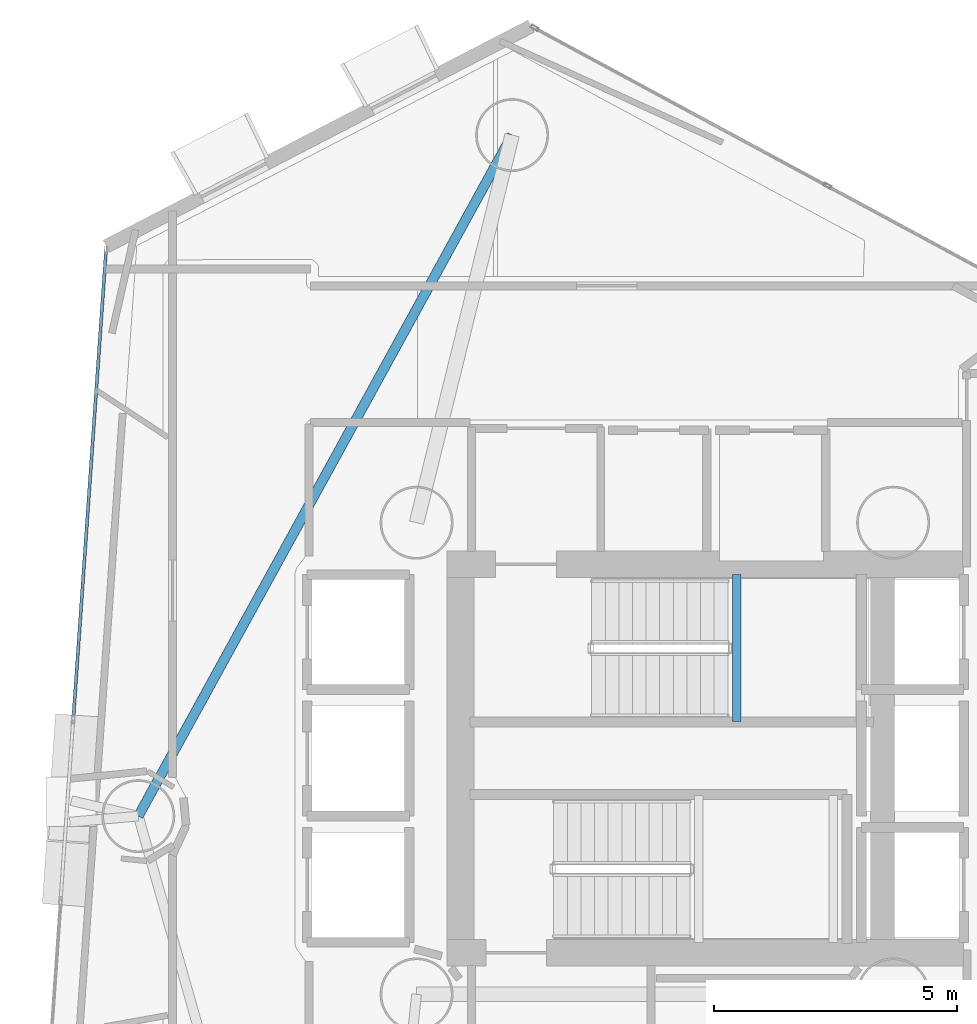
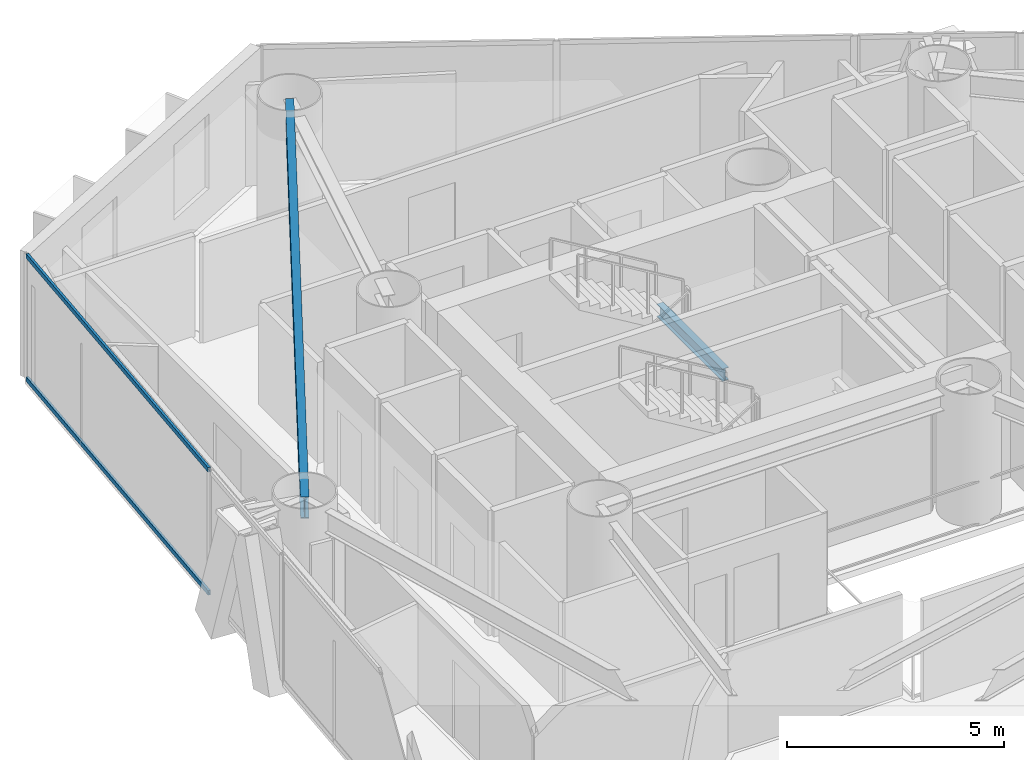
# One storey, part 8 of 21: 2 beams, 2 members, 1 element without a shape of its own.
"""IFC4 building model written with IfcOpenShell, lengths in metres."""

from ifc_helpers import new_model, si_unit, direction, frame, origin, origin_2d, place, context, subcontext, project, spatial, hollow_rectangle, i_section, extrude, material, layer, layer_set, material_profile, profile_set, type_object, element, aggregate, save


model = new_model("IFC4")

# Units and contexts
model_context = context("Model", 3, precision=1e-05, world=origin(), true_north=direction((0.0, 1.0)))
body_context = subcontext(model_context, "Body", "Model", "MODEL_VIEW")
ifc_project = project(units=[si_unit("LENGTHUNIT", "METRE"), si_unit("AREAUNIT", "SQUARE_METRE"), si_unit("VOLUMEUNIT", "CUBIC_METRE"), si_unit("PLANEANGLEUNIT", "RADIAN"), si_unit("MASSUNIT", "GRAM", prefix="KILO")], contexts=[model_context])

# Site, building, storey
site_placement = place(None, origin())
site = spatial("IfcSite", under=ifc_project, at=site_placement, CompositionType="ELEMENT")
building_placement = place(site_placement, origin())
building = spatial("IfcBuilding", under=site, at=building_placement, Name="Qianvela Tower", CompositionType="ELEMENT")
storey_placement = place(building_placement, frame((0.0, 0.0, 127.39990234375)))
storey = spatial("IfcBuildingStorey", under=building, at=storey_placement, Name="L32", CompositionType="ELEMENT", Elevation=127.39990234375)

# Beams
ifc_material_1 = material(Name="Steel Q355B", Category="steel")
ifc_material_profile_1 = material_profile(ifc_material_1, i_section(OverallWidth=0.175048828125, OverallDepth=0.35009765625, WebThickness=0.007080078125, FlangeThickness=0.010986328125, at=origin_2d()), Name="HN350x175x7x11")
ifc_profile_set_1 = profile_set([ifc_material_profile_1], Name="Steel Q355B")
beam_type_1 = type_object("IfcBeamType", Name="BM-HN350-JOIST", PredefinedType="JOIST", material=ifc_profile_set_1)
beam_1_placement = place(storey_placement, frame((35.179931640625, 29.4599609375, 1.47509765625), z_axis=(0.0, 1.0, 0.0), x_axis=(-1.0, 0.0, 0.0)))
element("IfcBeam", 1, at=beam_1_placement, inside=storey, type_object=beam_type_1, Name="L32 Stair ST-1 Landing Support Beam 1.1", PredefinedType="JOIST", context=body_context, shape_type="SweptSolid", body=[
    extrude(i_section(OverallWidth=0.175048828125, OverallDepth=0.35009765625, WebThickness=0.007080078125, FlangeThickness=0.010986328125, at=origin_2d()), origin(), (0.0, 0.0, 1.0), 3.02001953125),
])
ifc_material_2 = material(Name="Steel Q355B", Category="steel")
ifc_material_profile_2 = material_profile(ifc_material_2, i_section(OverallWidth=0.199951171875, OverallDepth=0.60009765625, WebThickness=0.010986328125, FlangeThickness=0.01708984375, at=origin_2d()), Name="HN600x200x11x17")
ifc_profile_set_2 = profile_set([ifc_material_profile_2], Name="Steel Q355B")
beam_type_2 = type_object("IfcBeamType", Name="BM-HN600-GIRD", PredefinedType="BEAM", material=ifc_profile_set_2)
beam_2_placement = place(storey_placement, frame((30.56396484375, 41.52099609375, 3.218017578125), z_axis=(-0.481118353038, -0.876655650965, 0.0), x_axis=(0.876655650965, -0.481118353038, 0.0)))
element("IfcBeam", 2, at=beam_2_placement, inside=storey, type_object=beam_type_2, Name="L32 Perimeter Ring Spandrel Girder 3", PredefinedType="BEAM", context=body_context, shape_type="SweptSolid", body=[
    extrude(i_section(OverallWidth=0.199951171875, OverallDepth=0.60009765625, WebThickness=0.010986328125, FlangeThickness=0.01708984375, at=origin_2d()), origin(), (0.0, 0.0, 1.0), 15.975341796875),
])

# Curtain wall, members
ifc_material_3 = material(Name="Anodised Architectural Aluminium and Low-E Glass", Category="aluminium")
ifc_layer = layer(ifc_material_3, 0.169921875)
ifc_layer_set = layer_set([ifc_layer], Name="Anodised Architectural Aluminium and Low-E Glass")
curtain_wall_type = type_object("IfcCurtainWallType", Name="CW-COLIV-Z34", PredefinedType="USERDEFINED", material=ifc_layer_set)
curtain_wall_placement = place(storey_placement, origin())
curtain_wall = element("IfcCurtainWall", 3, at=curtain_wall_placement, inside=storey, type_object=curtain_wall_type, Name="L32 CW-COLIV-Z34 Curtain Wall 04A", ObjectType="CURTAIN_WALL_SYSTEM", PredefinedType="USERDEFINED")
ifc_material_4 = material(Name="Anodised Architectural Aluminium 6063-T6", Category="aluminium")
ifc_material_profile_3 = material_profile(ifc_material_4, hollow_rectangle(XDim=0.06494140625, YDim=0.1298828125, WallThickness=0.00439453125, at=origin_2d()), Name="ALU-TRAN-65x130")
ifc_profile_set_3 = profile_set([ifc_material_profile_3], Name="Anodised Architectural Aluminium 6063-T6")
member_type = type_object("IfcMemberType", Name="CW-COLIV-Z34-TRAN", PredefinedType="USERDEFINED", material=ifc_profile_set_3)
member_1_placement = place(storey_placement, frame((22.2109375, 39.121826171875, 0.03271484375), z_axis=(-0.069740850034, -0.997565142653, 0.0), x_axis=(0.997565142653, -0.069740850034, 0.0)))
member_1 = element("IfcMember", 4, at=member_1_placement, type_object=member_type, Name="CW-4 transom 1.1", ObjectType="TRANSOM", PredefinedType="USERDEFINED", context=body_context, shape_type="SweptSolid", body=[
    extrude(hollow_rectangle(XDim=0.06494140625, YDim=0.1298828125, WallThickness=0.00439453125, at=origin_2d()), origin(), (0.0, 0.0, 1.0), 9.5498046875),
])
member_2_placement = place(storey_placement, frame((22.2109375, 39.121826171875, 3.487548828125), z_axis=(-0.069740850034, -0.997565142653, 0.0), x_axis=(0.997565142653, -0.069740850034, 0.0)))
member_2 = element("IfcMember", 5, at=member_2_placement, type_object=member_type, Name="CW-4 transom 1.2", ObjectType="TRANSOM", PredefinedType="USERDEFINED", context=body_context, shape_type="SweptSolid", body=[
    extrude(hollow_rectangle(XDim=0.06494140625, YDim=0.1298828125, WallThickness=0.00439453125, at=origin_2d()), origin(), (0.0, 0.0, 1.0), 9.5498046875),
])
aggregate(curtain_wall, [member_1, member_2])

save(model, "model.ifc")
